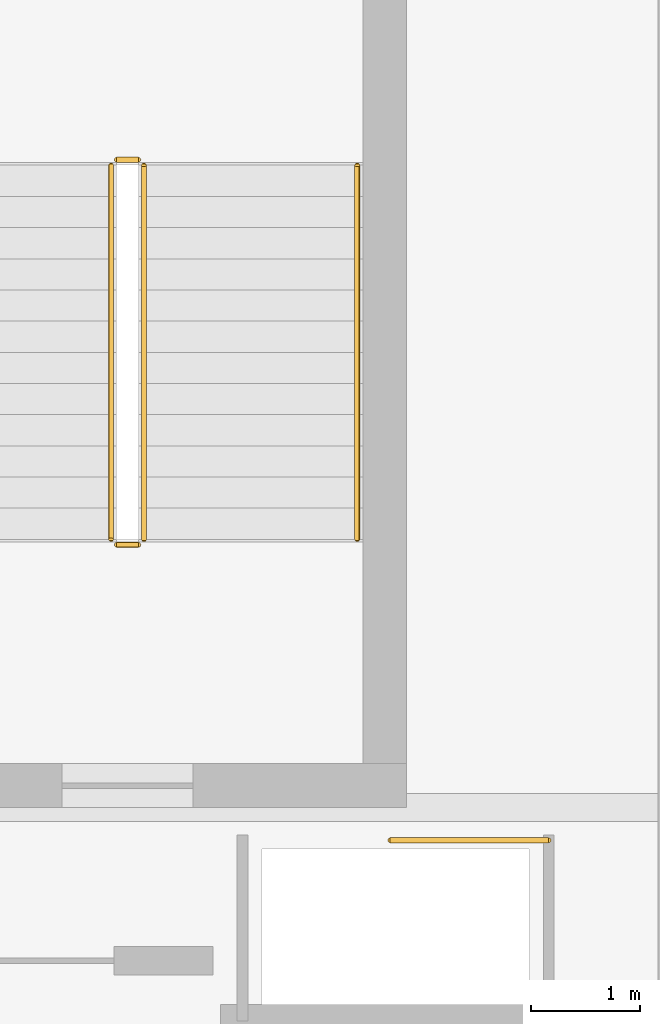
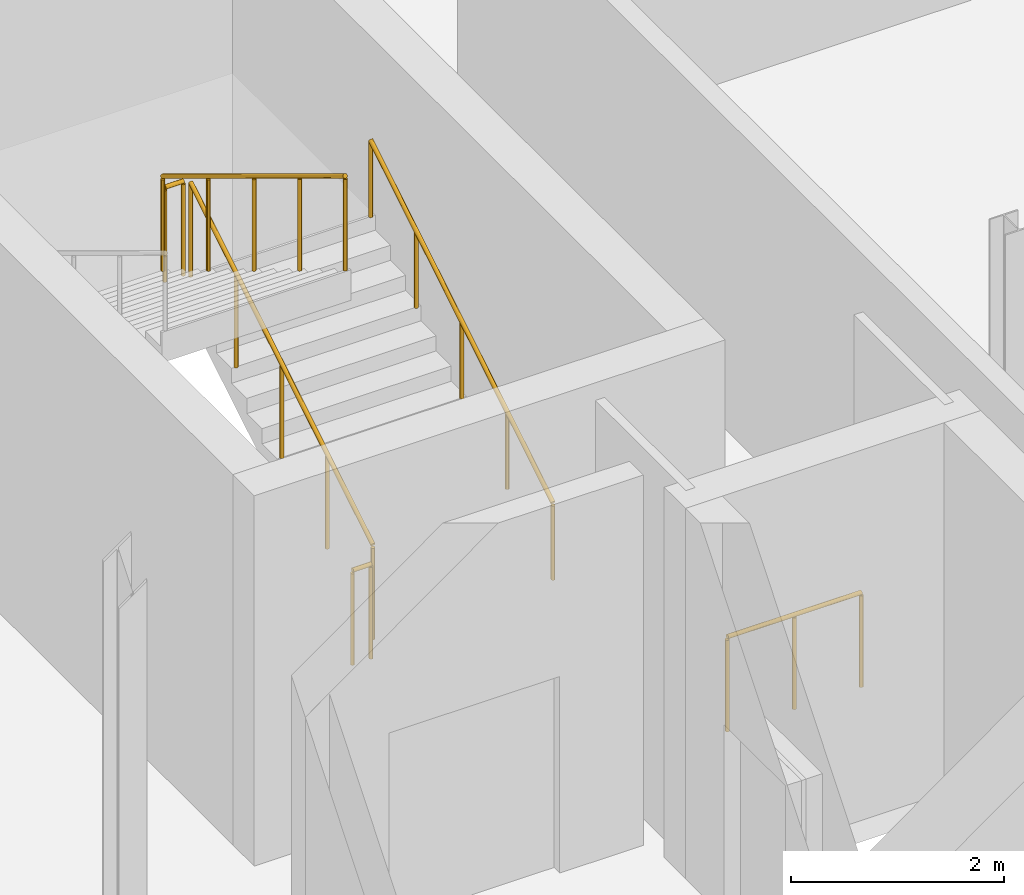
# One storey, part 69 of 69: 6 railings.
"""IFC4 building model written with IfcOpenShell, lengths in metres."""

from ifc_helpers import new_model, si_unit, direction, frame, origin, origin_2d, place, context, subcontext, project, spatial, circle, extrude, material, type_object, element, save


model = new_model("IFC4")

# Units and contexts
model_context = context("Model", 3, precision=1e-05, world=origin(), true_north=direction((0.0, 1.0)))
body_context = subcontext(model_context, "Body", "Model", "MODEL_VIEW")
ifc_project = project(units=[si_unit("LENGTHUNIT", "METRE"), si_unit("AREAUNIT", "SQUARE_METRE"), si_unit("VOLUMEUNIT", "CUBIC_METRE"), si_unit("PLANEANGLEUNIT", "RADIAN"), si_unit("MASSUNIT", "GRAM", prefix="KILO")], contexts=[model_context])

# Site, building, storey
site_placement = place(None, origin())
site = spatial("IfcSite", under=ifc_project, at=site_placement, CompositionType="ELEMENT")
building_placement = place(site_placement, origin())
building = spatial("IfcBuilding", under=site, at=building_placement, Name="Caelomonte Colonnade Arena", CompositionType="ELEMENT")
storey_placement = place(building_placement, frame((0.0, 0.0, 18.60009765625)))
storey = spatial("IfcBuildingStorey", under=building, at=storey_placement, Name="L04", CompositionType="ELEMENT", Elevation=18.60009765625)

# Railings
ifc_material_1 = material(Name="Painted galvanized steel stair guard", Category="steel")
railing_type_1 = type_object("IfcRailingType", Name="INT-RL-GRD", PredefinedType="GUARDRAIL", material=ifc_material_1)
railing_1_placement = place(storey_placement, frame((157.699951171875, 127.25, 0.173095703125)))
element("IfcRailing", 1, at=railing_1_placement, inside=storey, type_object=railing_type_1, Name="L04 ST-06 stair guard 1", PredefinedType="GUARDRAIL", context=body_context, shape_type="SweptSolid", body=[
    extrude(circle(Radius=0.02392578125, at=origin_2d()), frame((0.0, 0.0, 1.076171875), z_axis=(0.0, 0.854729506542, 0.519073665916), x_axis=(-1.0, 0.0, 0.0)), (0.0, 0.0, 1.0), 4.001220703125),
    extrude(circle(Radius=0.02099609375, at=origin_2d()), origin(), (0.0, 0.0, 1.0), 1.048095703125),
    extrude(circle(Radius=0.02099609375, at=origin_2d()), frame((0.0, 0.85498046875, 0.519287109375)), (0.0, 0.0, 1.0), 1.048095703125),
    extrude(circle(Radius=0.02099609375, at=origin_2d()), frame((0.0, 1.7099609375, 1.03857421875)), (0.0, 0.0, 1.0), 1.048095703125),
    extrude(circle(Radius=0.02099609375, at=origin_2d()), frame((0.0, 2.56494140625, 1.5576171875)), (0.0, 0.0, 1.0), 1.048095703125),
    extrude(circle(Radius=0.02099609375, at=origin_2d()), frame((0.0, 3.419921875, 2.076904296875)), (0.0, 0.0, 1.0), 1.048095703125),
])
railing_2_placement = place(storey_placement, frame((157.64990234375, 130.719970703125, 2.25)))
element("IfcRailing", 2, at=railing_2_placement, inside=storey, type_object=railing_type_1, Name="L04 ST-06 stair guard 2", PredefinedType="GUARDRAIL", context=body_context, shape_type="SweptSolid", body=[
    extrude(circle(Radius=0.02392578125, at=origin_2d()), frame((0.0, 0.0, 1.076171875), z_axis=(-1.0, 0.0, 0.0), x_axis=(0.0, -1.0, 0.0)), (0.0, 0.0, 1.0), 0.199951171875),
    extrude(circle(Radius=0.02099609375, at=origin_2d()), origin(), (0.0, 0.0, 1.0), 1.048095703125),
    extrude(circle(Radius=0.02099609375, at=origin_2d()), frame((-0.199951171875, 0.0, 0.0)), (0.0, 0.0, 1.0), 1.048095703125),
])
railing_3_placement = place(storey_placement, frame((157.39990234375, 130.669921875, 2.423095703125)))
element("IfcRailing", 3, at=railing_3_placement, inside=storey, type_object=railing_type_1, Name="L04 ST-06 stair guard 3", PredefinedType="GUARDRAIL", context=body_context, shape_type="SweptSolid", body=[
    extrude(circle(Radius=0.02392578125, at=origin_2d()), frame((0.0, 0.0, 1.076171875), z_axis=(0.0, -0.854729506542, 0.519073665916), x_axis=(1.0, 0.0, 0.0)), (0.0, 0.0, 1.0), 4.001220703125),
    extrude(circle(Radius=0.02099609375, at=origin_2d()), origin(), (0.0, 0.0, 1.0), 1.048095703125),
    extrude(circle(Radius=0.02099609375, at=origin_2d()), frame((0.0, -0.85498046875, 0.519287109375)), (0.0, 0.0, 1.0), 1.048095703125),
    extrude(circle(Radius=0.02099609375, at=origin_2d()), frame((0.0, -1.7099609375, 1.03857421875)), (0.0, 0.0, 1.0), 1.048095703125),
    extrude(circle(Radius=0.02099609375, at=origin_2d()), frame((0.0, -2.56494140625, 1.5576171875)), (0.0, 0.0, 1.0), 1.048095703125),
    extrude(circle(Radius=0.02099609375, at=origin_2d()), frame((0.0, -3.419921875, 2.076904296875)), (0.0, 0.0, 1.0), 1.048095703125),
])
railing_4_placement = place(storey_placement, frame((157.64990234375, 127.199951171875, 0.0)))
element("IfcRailing", 4, at=railing_4_placement, inside=storey, type_object=railing_type_1, Name="L04 ST-06 stair guard 4", PredefinedType="GUARDRAIL", context=body_context, shape_type="SweptSolid", body=[
    extrude(circle(Radius=0.02392578125, at=origin_2d()), frame((0.0, 0.0, 1.076171875), z_axis=(-1.0, 0.0, 0.0), x_axis=(0.0, -1.0, 0.0)), (0.0, 0.0, 1.0), 0.199951171875),
    extrude(circle(Radius=0.02099609375, at=origin_2d()), origin(), (0.0, 0.0, 1.0), 1.048095703125),
    extrude(circle(Radius=0.02099609375, at=origin_2d()), frame((-0.199951171875, 0.0, 0.0)), (0.0, 0.0, 1.0), 1.048095703125),
])
railing_5_placement = place(storey_placement, frame((159.949951171875, 124.5, 0.0)))
element("IfcRailing", 5, at=railing_5_placement, inside=storey, type_object=railing_type_1, Name="Core C6 L04 riser opening guard", PredefinedType="GUARDRAIL", context=body_context, shape_type="SweptSolid", body=[
    extrude(circle(Radius=0.02392578125, at=origin_2d()), frame((0.0, 0.0, 1.076171875), z_axis=(1.0, 0.0, 0.0), x_axis=(0.0, 1.0, 0.0)), (0.0, 0.0, 1.0), 1.449951171875),
    extrude(circle(Radius=0.02099609375, at=origin_2d()), origin(), (0.0, 0.0, 1.0), 1.048095703125),
    extrude(circle(Radius=0.02099609375, at=origin_2d()), frame((0.72509765625, 0.0, 0.0)), (0.0, 0.0, 1.0), 1.048095703125),
    extrude(circle(Radius=0.02099609375, at=origin_2d()), frame((1.449951171875, 0.0, 0.0)), (0.0, 0.0, 1.0), 1.048095703125),
])
ifc_material_2 = material(Name="Brushed stainless steel stair handrail", Category="steel")
railing_type_2 = type_object("IfcRailingType", Name="INT-RL-HR", PredefinedType="HANDRAIL", material=ifc_material_2)
railing_6_placement = place(storey_placement, frame((159.64990234375, 127.25, 0.173095703125)))
element("IfcRailing", 6, at=railing_6_placement, inside=storey, type_object=railing_type_2, Name="L04 ST-06 stair handrail 1", PredefinedType="HANDRAIL", context=body_context, shape_type="SweptSolid", body=[
    extrude(circle(Radius=0.02392578125, at=origin_2d()), frame((0.0, 0.0, 0.8759765625), z_axis=(0.0, 0.854729506542, 0.519073665916), x_axis=(-1.0, 0.0, 0.0)), (0.0, 0.0, 1.0), 4.001220703125),
    extrude(circle(Radius=0.02099609375, at=origin_2d()), origin(), (0.0, 0.0, 1.0), 0.847900390625),
    extrude(circle(Radius=0.02099609375, at=origin_2d()), frame((0.0, 0.85498046875, 0.519287109375)), (0.0, 0.0, 1.0), 0.847900390625),
    extrude(circle(Radius=0.02099609375, at=origin_2d()), frame((0.0, 1.7099609375, 1.03857421875)), (0.0, 0.0, 1.0), 0.847900390625),
    extrude(circle(Radius=0.02099609375, at=origin_2d()), frame((0.0, 2.56494140625, 1.5576171875)), (0.0, 0.0, 1.0), 0.847900390625),
    extrude(circle(Radius=0.02099609375, at=origin_2d()), frame((0.0, 3.419921875, 2.076904296875)), (0.0, 0.0, 1.0), 0.847900390625),
])

save(model, "model.ifc")
